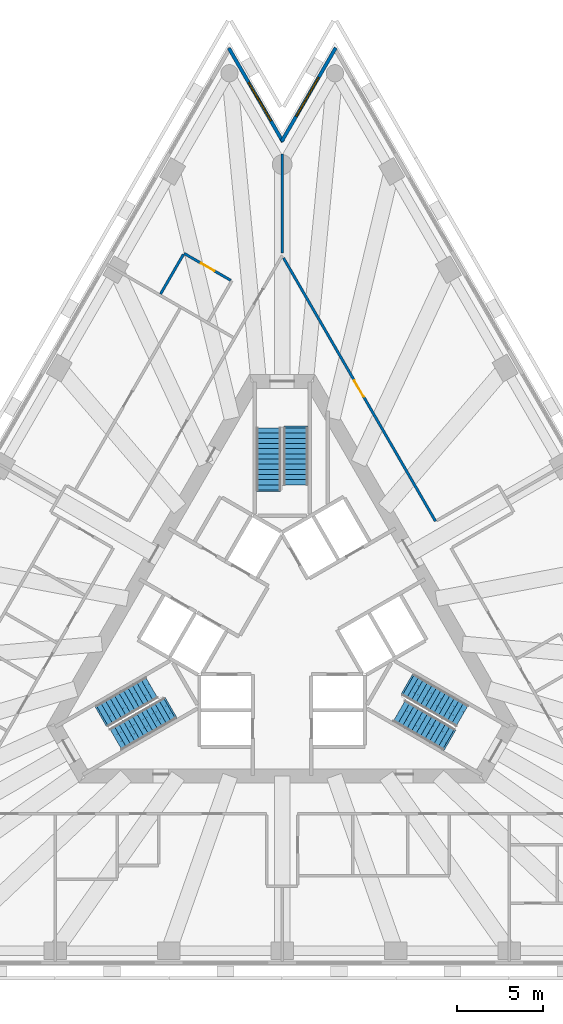
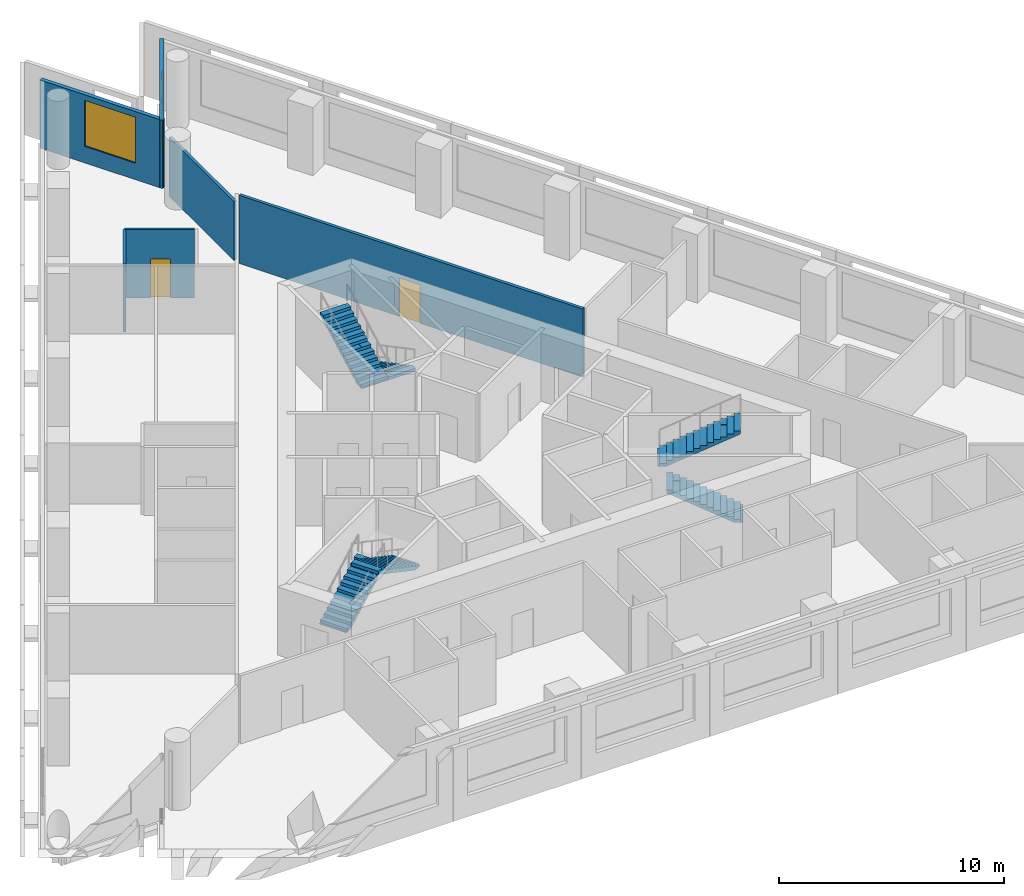
# One storey, part 7 of 10: 6 stair flights, 6 walls, 2 doors, 2 windows, 4 openings, 3 elements without a shape of their own.
"""IFC4 building model written with IfcOpenShell, lengths in metres."""

import ifcopenshell
import ifcopenshell.guid

model = None  # the IFC model being written
_history = None  # IfcOwnerHistory: only IFC2X3 demands one
_inside = {}  # id of a spatial element -> (the spatial element, [elements in it])
_under = {}  # id of a project, library or spatial element -> (it, [spatial elements below it])
_declared = {}  # id of a project -> (the project, [libraries it declares])
_typed = {}  # id of a type object -> (the type object, [elements of that type])
_made_of = {}  # id of a material, layer set ... -> (it, [elements and type objects made of it])


def new_model(schema):
    """Start an empty IFC model of exactly this schema.

    Asked for "IFC4X3", IfcOpenShell would pick the latest addendum, in which some entities
    have other attributes; the version numbers below select the first issue.
    IFC2X3 requires an IfcOwnerHistory on every rooted entity: one is made here for all.
    """
    global model, _history
    if schema == "IFC4X3":
        model = ifcopenshell.file(schema_version=(4, 3, 0, 0))
    else:
        model = ifcopenshell.file(schema=schema)
    _inside.clear()
    _under.clear()
    _declared.clear()
    _typed.clear()
    _made_of.clear()
    _history = None
    if model.schema == "IFC2X3":
        org = make("IfcOrganization", Name="unknown")
        user = make(
            "IfcPersonAndOrganization",
            ThePerson=make("IfcPerson", FamilyName="unknown"),
            TheOrganization=org,
        )
        app = make(
            "IfcApplication",
            ApplicationDeveloper=org,
            Version="unknown",
            ApplicationFullName="unknown",
            ApplicationIdentifier="unknown",
        )
        _history = make(
            "IfcOwnerHistory",
            OwningUser=user,
            OwningApplication=app,
            ChangeAction="ADDED",
            CreationDate=0,
        )
    return model


def make(cls, **values):
    """One entity of the class cls with the attributes given. An attribute that is None is left unset."""
    return model.create_entity(
        cls, **{name: value for name, value in values.items() if value is not None}
    )


def rooted(cls, **values):
    """An entity with a GlobalId (a new one), such as an element, a storey or a relation."""
    return make(cls, GlobalId=ifcopenshell.guid.new(), OwnerHistory=_history, **values)


def si_unit(unit_type, name, prefix=None):
    """IfcSIUnit, for example si_unit("LENGTHUNIT", "METRE", prefix="MILLI")."""
    return make("IfcSIUnit", UnitType=unit_type, Prefix=prefix, Name=name)


def assignment(units):
    """IfcUnitAssignment: the units of a project."""
    return None if units is None else make("IfcUnitAssignment", Units=units)


def point(xyz):
    """IfcCartesianPoint."""
    return None if xyz is None else make("IfcCartesianPoint", Coordinates=xyz)


def direction(xyz):
    """IfcDirection."""
    return None if xyz is None else make("IfcDirection", DirectionRatios=xyz)


def frame(location, z_axis=None, x_axis=None):
    """IfcAxis2Placement3D, a coordinate frame: its origin and axes. An axis left out is left unset."""
    return make(
        "IfcAxis2Placement3D",
        Location=point(location),
        Axis=direction(z_axis),
        RefDirection=direction(x_axis),
    )


def frame_2d(location, x_axis=None):
    """IfcAxis2Placement2D, a coordinate frame in the plane: its origin and x axis."""
    return make(
        "IfcAxis2Placement2D", Location=point(location), RefDirection=direction(x_axis)
    )


def origin():
    """The frame at (0, 0, 0) with its axes left unset."""
    return frame((0.0, 0.0, 0.0))


def place(relative_to, where):
    """IfcLocalPlacement: puts the frame where relative to a parent placement (None: the world)."""
    return make(
        "IfcLocalPlacement", PlacementRelTo=relative_to, RelativePlacement=where
    )


def context(
    kind, dimensions, precision=None, world=None, true_north=None, identifier=None
):
    """IfcGeometricRepresentationContext, for example the 3D "Model" context."""
    return make(
        "IfcGeometricRepresentationContext",
        ContextIdentifier=identifier,
        ContextType=kind,
        CoordinateSpaceDimension=dimensions,
        Precision=precision,
        WorldCoordinateSystem=world,
        TrueNorth=true_north,
    )


def subcontext(parent, identifier, kind, view, scale=None):
    """IfcGeometricRepresentationSubContext, for example "Body" below "Model"."""
    return make(
        "IfcGeometricRepresentationSubContext",
        ContextIdentifier=identifier,
        ContextType=kind,
        ParentContext=parent,
        TargetScale=scale,
        TargetView=view,
    )


def project(units=None, contexts=None):
    """IfcProject with its units and contexts."""
    return rooted(
        "IfcProject",
        Name="project",
        RepresentationContexts=contexts,
        UnitsInContext=assignment(units),
    )


def spatial(cls, under=None, at=None, **own):
    """A site, building, storey or space (cls), placed at a placement, below another one or the project."""
    s = rooted(cls, ObjectPlacement=at, **own)
    if under is not None:
        _under.setdefault(under.id(), (under, []))[1].append(s)
    return s


def polyline(points):
    """IfcPolyline through the points."""
    return make("IfcPolyline", Points=[point(p) for p in points])


def profile(cls, at=None, kind="AREA", **sizes):
    """A parametric profile (cls). Its sizes go by their IFC names, for example OverallWidth=200.0."""
    return make(cls, ProfileType=kind, Position=at, **sizes)


def rectangle(**sizes):
    """IfcRectangleProfileDef."""
    return profile("IfcRectangleProfileDef", **sizes)


def outline(outer, holes=None, kind="AREA"):
    """IfcArbitraryClosedProfileDef: a profile drawn as a closed curve; with holes, ...WithVoids."""
    if holes is None:
        return make("IfcArbitraryClosedProfileDef", ProfileType=kind, OuterCurve=outer)
    return make(
        "IfcArbitraryProfileDefWithVoids",
        ProfileType=kind,
        OuterCurve=outer,
        InnerCurves=holes,
    )


def extrude(swept, where, along, depth):
    """IfcExtrudedAreaSolid: the profile swept, set in the frame where, extruded along a direction by depth."""
    return make(
        "IfcExtrudedAreaSolid",
        SweptArea=swept,
        Position=where,
        ExtrudedDirection=direction(along),
        Depth=depth,
    )


def shape(context_of_items, identifier, shape_type, items):
    """IfcShapeRepresentation: the items that make up one representation, for example the "Body"."""
    return make(
        "IfcShapeRepresentation",
        ContextOfItems=context_of_items,
        RepresentationIdentifier=identifier,
        RepresentationType=shape_type,
        Items=items,
    )


def material(Name=None, Category=None):
    """IfcMaterial."""
    return make("IfcMaterial", Name=Name, Category=Category)


def layer(
    of_material, thickness, ventilated=None, Name=None, Category=None, Priority=None
):
    """IfcMaterialLayer: one layer of a wall or slab, of a material (None: an air gap)."""
    return make(
        "IfcMaterialLayer",
        Material=of_material,
        LayerThickness=thickness,
        IsVentilated=ventilated,
        Name=Name,
        Category=Category,
        Priority=Priority,
    )


def layer_set(layers, Name=None):
    """IfcMaterialLayerSet."""
    return make("IfcMaterialLayerSet", MaterialLayers=layers, LayerSetName=Name)


def layer_usage(for_layer_set, set_direction, sense, offset, extent=None):
    """IfcMaterialLayerSetUsage: how a layer set lies in its element."""
    return make(
        "IfcMaterialLayerSetUsage",
        ForLayerSet=for_layer_set,
        LayerSetDirection=set_direction,
        DirectionSense=sense,
        OffsetFromReferenceLine=offset,
        ReferenceExtent=extent,
    )


def made_of(thing, what):
    """Note that an element or type object is made of a material, layer set ...; save() writes the relation."""
    if what is not None:
        _made_of.setdefault(what.id(), (what, []))[1].append(thing)
    return thing


def type_object(cls, material=None, **own):
    """A type object (cls), such as IfcWallType, which elements share."""
    return made_of(rooted(cls, **own), material)


def element(
    cls,
    number,
    at=None,
    inside=None,
    cuts=None,
    type_object=None,
    material=None,
    context=None,
    identifier="Body",
    shape_type=None,
    held_by="IfcProductDefinitionShape",
    body=None,
    shapes=None,
    **own,
):
    """One element of the class cls, such as IfcWall. Its Tag is "e" and its number.

    at: its placement. inside: the storey or other place that contains it. cuts: it is an
    opening in that element (IfcRelVoidsElement). A single representation is given by context,
    identifier, shape_type and body (its items); several are given by shapes. held_by: the class
    of the entity that holds the representations. save() writes the other relations.
    """
    e = rooted(cls, Tag="e%d" % number, ObjectPlacement=at, **own)
    if body is not None:
        shapes = [shape(context, identifier, shape_type, body)]
    if shapes is not None:
        e.Representation = make(held_by, Representations=shapes)
    if inside is not None:
        _inside.setdefault(inside.id(), (inside, []))[1].append(e)
    if cuts is not None:
        rooted(
            "IfcRelVoidsElement", RelatingBuildingElement=cuts, RelatedOpeningElement=e
        )
    if type_object is not None:
        _typed.setdefault(type_object.id(), (type_object, []))[1].append(e)
    return made_of(e, material)


def fill(opening, filler):
    """IfcRelFillsElement: the door or window that sits in an opening."""
    return rooted(
        "IfcRelFillsElement",
        RelatingOpeningElement=opening,
        RelatedBuildingElement=filler,
    )


def aggregate(whole, parts):
    """IfcRelAggregates: a whole, such as a stair, and the parts it consists of."""
    return rooted("IfcRelAggregates", RelatingObject=whole, RelatedObjects=parts)


def save(model, path):
    """Write the relations noted so far, then the file.

    IfcRelAggregates (storeys below a building ...), IfcRelContainedInSpatialStructure (elements
    in a storey), IfcRelDefinesByType, IfcRelAssociatesMaterial and IfcRelDeclares: one each for
    every whole, place, type object, material and project.
    """
    for whole, parts in _under.values():
        aggregate(whole, parts)
    for where, things in _inside.values():
        rooted(
            "IfcRelContainedInSpatialStructure",
            RelatedElements=things,
            RelatingStructure=where,
        )
    for kind, things in _typed.values():
        rooted("IfcRelDefinesByType", RelatedObjects=things, RelatingType=kind)
    for what, things in _made_of.values():
        rooted("IfcRelAssociatesMaterial", RelatedObjects=things, RelatingMaterial=what)
    for by, libraries in _declared.values():
        rooted("IfcRelDeclares", RelatingContext=by, RelatedDefinitions=libraries)
    model.write(path)


model = new_model("IFC4")

# Units and contexts
model_context = context("Model", 3, precision=1e-05, world=origin(), true_north=direction((0.0, 1.0)))
body_context = subcontext(model_context, "Body", "Model", "MODEL_VIEW")
ifc_project = project(units=[si_unit("LENGTHUNIT", "METRE"), si_unit("AREAUNIT", "SQUARE_METRE"), si_unit("VOLUMEUNIT", "CUBIC_METRE"), si_unit("PLANEANGLEUNIT", "RADIAN"), si_unit("MASSUNIT", "GRAM", prefix="KILO")], contexts=[model_context])

# Site, building, storey
site_placement = place(None, origin())
site = spatial("IfcSite", under=ifc_project, at=site_placement, CompositionType="ELEMENT")
building_placement = place(site_placement, origin())
building = spatial("IfcBuilding", under=site, at=building_placement, Name="Triada Interchange Tower", CompositionType="ELEMENT")
storey_placement = place(building_placement, frame((0.0, 0.0, 152.300048828125)))
storey = spatial("IfcBuildingStorey", under=building, at=storey_placement, Name="L35", CompositionType="ELEMENT", Elevation=152.300048828125)

# Wall, opening, window
ifc_material_1 = material(Name="Cement board")
ifc_layer_1 = layer(ifc_material_1, 0.02001953125, Name="Cement board cladding")
ifc_material_2 = material(Name="Sheathing board")
ifc_layer_2 = layer(ifc_material_2, 0.014892578125, Name="Sheathing board")
ifc_material_3 = material(Name="Mineral wool")
ifc_layer_3 = layer(ifc_material_3, 0.14990234375, Name="Mineral wool between steel studs")
ifc_material_4 = material(Name="Gypsum board")
ifc_layer_4 = layer(ifc_material_4, 0.014892578125, Name="Plasterboard lining")
ifc_layer_set_1 = layer_set([ifc_layer_1, ifc_layer_2, ifc_layer_3, ifc_layer_4], Name="External wall 200")
ifc_layer_usage = layer_usage(ifc_layer_set_1, "AXIS2", "POSITIVE", -0.10009765625)
wall_type_1 = type_object("IfcWallType", Name="External wall 200", PredefinedType="ELEMENTEDWALL", material=ifc_layer_set_1)
wall_1_placement = place(storey_placement, frame((3.10791015625, 33.666015625, 0.0), z_axis=(0.0, 0.0, 1.0), x_axis=(-0.499961152228, -0.866047831394, 0.0)))
wall_1 = element("IfcWall", 1, at=wall_1_placement, inside=storey, type_object=wall_type_1, material=ifc_layer_usage, Name="External wall L35 N-1", PredefinedType="ELEMENTEDWALL", context=body_context, shape_type="SweptSolid", body=[
    extrude(rectangle(XDim=6.2861328125, YDim=0.199951171875, at=frame_2d((3.14306640625, 0.0))), origin(), (0.0, 0.0, 1.0), 3.699951171875),
])
opening_1_placement = place(wall_1_placement, frame((1.989990234375, 0.0, 0.89990234375)))
opening_1 = element("IfcOpeningElement", 2, at=opening_1_placement, cuts=wall_1, Name="Opening WB29", PredefinedType="OPENING", context=body_context, shape_type="SweptSolid", body=[
    extrude(rectangle(XDim=2.60009765625, YDim=2.5, at=frame_2d((1.300048828125, 1.25))), frame((0.0, 0.10986328125, 0.0), z_axis=(0.0, -1.0, 0.0), x_axis=(1.0, 0.0, 0.0)), (0.0, 0.0, 1.0), 0.219970703125),
])
ifc_material_5 = material(Name="Double glazed aluminium window", Category="aluminium")
window_type = type_object("IfcWindowType", Name="Ribbon window B pocket", PartitioningType="SINGLE_PANEL", PredefinedType="WINDOW", material=ifc_material_5)
window_1_placement = place(opening_1_placement, origin())
window_1 = element("IfcWindow", 3, at=window_1_placement, inside=storey, type_object=window_type, Name="Window L35 N-1 1", OverallHeight=2.5, OverallWidth=2.60009765625, PartitioningType="SINGLE_PANEL", PredefinedType="WINDOW", context=body_context, shape_type="SweptSolid", body=[
    extrude(rectangle(XDim=2.60009765625, YDim=2.5, at=frame_2d((1.300048828125, 1.25))), frame((0.0, 0.030029296875, 0.0), z_axis=(0.0, -1.0, 0.0), x_axis=(1.0, 0.0, 0.0)), (0.0, 0.0, 1.0), 0.06005859375),
])
fill(opening_1, window_1)

wall_2_placement = place(storey_placement, frame((0.044921875, 28.205078125, 0.0), z_axis=(0.0, 0.0, 1.0), x_axis=(-0.499977969162, 0.866038122921, 0.0)))
wall_2 = element("IfcWall", 4, at=wall_2_placement, inside=storey, type_object=wall_type_1, material=ifc_layer_usage, Name="External wall L35 N-2", PredefinedType="ELEMENTEDWALL", context=body_context, shape_type="SweptSolid", body=[
    extrude(rectangle(XDim=6.285888671875, YDim=0.199951171875, at=frame_2d((3.14306640625, 0.0))), origin(), (0.0, 0.0, 1.0), 3.699951171875),
])
opening_2_placement = place(wall_2_placement, frame((1.389892578125, 0.0, 0.89990234375)))
opening_2 = element("IfcOpeningElement", 5, at=opening_2_placement, cuts=wall_2, Name="Opening WB30", PredefinedType="OPENING", context=body_context, shape_type="SweptSolid", body=[
    extrude(rectangle(XDim=2.60009765625, YDim=2.5, at=frame_2d((1.300048828125, 1.25))), frame((0.0, 0.10986328125, 0.0), z_axis=(0.0, -1.0, 0.0), x_axis=(1.0, 0.0, 0.0)), (0.0, 0.0, 1.0), 0.219970703125),
])
window_2_placement = place(opening_2_placement, origin())
window_2 = element("IfcWindow", 6, at=window_2_placement, inside=storey, type_object=window_type, Name="Window L35 N-2 1", OverallHeight=2.5, OverallWidth=2.60009765625, PartitioningType="SINGLE_PANEL", PredefinedType="WINDOW", context=body_context, shape_type="SweptSolid", body=[
    extrude(rectangle(XDim=2.60009765625, YDim=2.5, at=frame_2d((1.300048828125, 1.25))), frame((0.0, 0.030029296875, 0.0), z_axis=(0.0, -1.0, 0.0), x_axis=(1.0, 0.0, 0.0)), (0.0, 0.0, 1.0), 0.06005859375),
])
fill(opening_2, window_2)

# Wall
ifc_material_6 = material(Name="Gypsum board partition")
ifc_layer_5 = layer(ifc_material_6, 0.14990234375)
ifc_layer_set_2 = layer_set([ifc_layer_5], Name="PARTITION 150 EI 180")
wall_type_2 = type_object("IfcWallType", Name="PARTITION 150 EI 180", PredefinedType="PARTITIONING", material=ifc_layer_set_2)
wall_3_placement = place(storey_placement, frame((0.0, 21.75, 0.0), z_axis=(0.0, 0.0, 1.0), x_axis=(0.0, 1.0, 0.0)))
element("IfcWall", 7, at=wall_3_placement, inside=storey, type_object=wall_type_2, Name="Wall L35 26", PredefinedType="PARTITIONING", context=body_context, shape_type="SweptSolid", body=[
    extrude(rectangle(XDim=5.7529296875, YDim=0.14990234375, at=frame_2d((2.87646484375, 0.0))), origin(), (0.0, 0.0, 1.0), 3.199951171875),
])

# Wall, opening, door
wall_4_placement = place(storey_placement, frame((0.075927734375, 21.468017578125, 0.0), z_axis=(0.0, 0.0, 1.0), x_axis=(0.500006592492, -0.866021597574, 0.0)))
wall_4 = element("IfcWall", 8, at=wall_4_placement, inside=storey, type_object=wall_type_2, Name="Wall L35 28", PredefinedType="PARTITIONING", context=body_context, shape_type="SweptSolid", body=[
    extrude(rectangle(XDim=17.652099609375, YDim=0.14990234375, at=frame_2d((8.826171875, 0.0))), origin(), (0.0, 0.0, 1.0), 3.699951171875),
])
opening_3_placement = place(wall_4_placement, frame((8.2041015625, 0.0, 0.0)))
opening_3 = element("IfcOpeningElement", 9, at=opening_3_placement, cuts=wall_4, Name="Opening D35-26", PredefinedType="OPENING", context=body_context, shape_type="SweptSolid", body=[
    extrude(rectangle(XDim=1.10009765625, YDim=2.10009765625, at=frame_2d((0.550048828125, 1.050048828125))), frame((0.0, 0.0849609375, 0.0), z_axis=(0.0, -1.0, 0.0), x_axis=(1.0, 0.0, 0.0)), (0.0, 0.0, 1.0), 0.169921875),
])
ifc_material_7 = material(Name="Steel S235 door leaf", Category="steel")
door_type_1 = type_object("IfcDoorType", Name="TENANCY ENTRANCE DOOR 1100 EI2 90-C5S200", OperationType="NOTDEFINED", PredefinedType="DOOR", material=ifc_material_7)
door_1_placement = place(opening_3_placement, origin())
door_1 = element("IfcDoor", 10, at=door_1_placement, inside=storey, type_object=door_type_1, Name="Door D35-26 L35", OperationType="SINGLE_SWING_LEFT", OverallHeight=2.10009765625, OverallWidth=1.10009765625, PredefinedType="DOOR", context=body_context, shape_type="SweptSolid", body=[
    extrude(rectangle(XDim=1.10009765625, YDim=2.10009765625, at=frame_2d((0.550048828125, 1.050048828125))), frame((0.0, 0.02490234375, 0.0), z_axis=(0.0, -1.0, 0.0), x_axis=(1.0, 0.0, 0.0)), (0.0, 0.0, 1.0), 0.050048828125),
])
fill(opening_3, door_1)

ifc_layer_6 = layer(ifc_material_6, 0.14990234375)
ifc_layer_set_3 = layer_set([ifc_layer_6], Name="PARTITION 150 EI 90")
wall_type_3 = type_object("IfcWallType", Name="PARTITION 150 EI 90", PredefinedType="PARTITIONING", material=ifc_layer_set_3)
wall_5_placement = place(storey_placement, frame((-5.697021484375, 21.73193359375, 0.0), z_axis=(0.0, 0.0, 1.0), x_axis=(0.866071089505, -0.499920861661, 0.0)))
wall_5 = element("IfcWall", 11, at=wall_5_placement, inside=storey, type_object=wall_type_3, Name="Wall L35 45", PredefinedType="PARTITIONING", context=body_context, shape_type="SweptSolid", body=[
    extrude(rectangle(XDim=3.12451171875, YDim=0.14990234375, at=frame_2d((1.562255859375, 0.0))), origin(), (0.0, 0.0, 1.0), 3.699951171875),
])
opening_4_placement = place(wall_5_placement, frame((1.14990234375, 0.0, 0.0)))
opening_4 = element("IfcOpeningElement", 12, at=opening_4_placement, cuts=wall_5, Name="Opening D35-28", PredefinedType="OPENING", context=body_context, shape_type="SweptSolid", body=[
    extrude(rectangle(XDim=0.89990234375, YDim=2.10009765625, at=frame_2d((0.449951171875, 1.050048828125))), frame((0.0, 0.0849609375, 0.0), z_axis=(0.0, -1.0, 0.0), x_axis=(1.0, 0.0, 0.0)), (0.0, 0.0, 1.0), 0.169921875),
])
door_type_2 = type_object("IfcDoorType", Name="ROOM DOOR 900 EI2 45-C5S200", OperationType="NOTDEFINED", PredefinedType="DOOR", material=ifc_material_7)
door_2_placement = place(opening_4_placement, origin())
door_2 = element("IfcDoor", 13, at=door_2_placement, inside=storey, type_object=door_type_2, Name="Door D35-28 L35", OperationType="SINGLE_SWING_LEFT", OverallHeight=2.10009765625, OverallWidth=0.89990234375, PredefinedType="DOOR", context=body_context, shape_type="SweptSolid", body=[
    extrude(rectangle(XDim=0.89990234375, YDim=2.10009765625, at=frame_2d((0.449951171875, 1.050048828125))), frame((0.0, 0.02490234375, 0.0), z_axis=(0.0, -1.0, 0.0), x_axis=(1.0, 0.0, 0.0)), (0.0, 0.0, 1.0), 0.050048828125),
])
fill(opening_4, door_2)

# Wall
wall_6_placement = place(storey_placement, frame((-7.06005859375, 19.373046875, 0.0), z_axis=(0.0, 0.0, 1.0), x_axis=(0.499993606316, 0.866029095148, 0.0)))
element("IfcWall", 14, at=wall_6_placement, inside=storey, type_object=wall_type_3, Name="Wall L35 46", PredefinedType="PARTITIONING", context=body_context, shape_type="SweptSolid", body=[
    extrude(rectangle(XDim=2.64990234375, YDim=0.14990234375, at=frame_2d((1.324951171875, 0.0))), origin(), (0.0, 0.0, 1.0), 3.699951171875),
])

# Stair, stair flights
ifc_material_8 = material(Name="Concrete C35/45", Category="concrete")
stair_type = type_object("IfcStairType", Name="HALF TURN STAIR 1400", PredefinedType="HALF_TURN_STAIR", material=ifc_material_8)
stair_1_placement = place(storey_placement, origin())
stair_1 = element("IfcStair", 15, at=stair_1_placement, inside=storey, type_object=stair_type, Name="Exit stair S35-1", PredefinedType="HALF_TURN_STAIR")
stair_flight_type = type_object("IfcStairFlightType", Name="STRAIGHT STAIR FLIGHT 1400", PredefinedType="STRAIGHT", material=ifc_material_8)
stair_flight_1_placement = place(storey_placement, frame((0.800048828125, 11.60009765625, 0.0), z_axis=(0.0, 0.0, 1.0), x_axis=(0.0, -1.0, 0.0)))
stair_flight_1 = element("IfcStairFlight", 16, at=stair_flight_1_placement, type_object=stair_flight_type, Name="S35-1 flight 1", NumberOfRisers=12, NumberOfTreads=11, PredefinedType="STRAIGHT", RiserHeight=0.16, TreadLength=0.3, context=body_context, shape_type="SweptSolid", body=[
    extrude(outline(polyline([(-0.10009765625, 0.0), (-0.10009765625, 0.02001953125), (0.0, 0.02001953125), (0.0, 0.159912109375), (0.300048828125, 0.159912109375), (0.300048828125, 0.320068359375), (0.60009765625, 0.320068359375), (0.60009765625, 0.47998046875), (0.89990234375, 0.47998046875), (0.89990234375, 0.639892578125), (1.199951171875, 0.639892578125), (1.199951171875, 0.800048828125), (1.5, 0.800048828125), (1.5, 0.9599609375), (1.800048828125, 0.9599609375), (1.800048828125, 1.1201171875), (2.10009765625, 1.1201171875), (2.10009765625, 1.280029296875), (2.39990234375, 1.280029296875), (2.39990234375, 1.43994140625), (2.699951171875, 1.43994140625), (2.699951171875, 1.60009765625), (3.0, 1.60009765625), (3.0, 1.760009765625), (3.300048828125, 1.760009765625), (3.303955078125, 1.760009765625), (3.303955078125, 1.919921875), (3.303955078125, 1.590087890625), (0.318603515625, 0.0), (-0.10009765625, 0.0)])), frame((0.0, 0.699951171875, 0.0), z_axis=(0.0, -1.0, 0.0), x_axis=(1.0, 0.0, 0.0)), (0.0, 0.0, 1.0), 0.46533203125),
    extrude(outline(polyline([(-0.10009765625, 0.0), (-0.10009765625, 0.02001953125), (0.0, 0.02001953125), (0.0, 0.159912109375), (0.300048828125, 0.159912109375), (0.300048828125, 0.320068359375), (0.60009765625, 0.320068359375), (0.60009765625, 0.47998046875), (0.89990234375, 0.47998046875), (0.89990234375, 0.639892578125), (1.199951171875, 0.639892578125), (1.199951171875, 0.800048828125), (1.5, 0.800048828125), (1.5, 0.9599609375), (1.800048828125, 0.9599609375), (1.800048828125, 1.1201171875), (2.10009765625, 1.1201171875), (2.10009765625, 1.280029296875), (2.39990234375, 1.280029296875), (2.39990234375, 1.43994140625), (2.699951171875, 1.43994140625), (2.699951171875, 1.60009765625), (3.0, 1.60009765625), (3.0, 1.760009765625), (3.300048828125, 1.760009765625), (3.303955078125, 1.760009765625), (3.303955078125, 1.919921875), (3.303955078125, 1.590087890625), (0.318603515625, 0.0), (-0.10009765625, 0.0)])), frame((0.0, 0.232666015625, 0.0), z_axis=(0.0, -1.0, 0.0), x_axis=(1.0, 0.0, 0.0)), (0.0, 0.0, 1.0), 0.46533203125),
    extrude(outline(polyline([(-0.10009765625, 0.0), (-0.10009765625, 0.02001953125), (0.0, 0.02001953125), (0.0, 0.159912109375), (0.300048828125, 0.159912109375), (0.300048828125, 0.320068359375), (0.60009765625, 0.320068359375), (0.60009765625, 0.47998046875), (0.89990234375, 0.47998046875), (0.89990234375, 0.639892578125), (1.199951171875, 0.639892578125), (1.199951171875, 0.800048828125), (1.5, 0.800048828125), (1.5, 0.9599609375), (1.800048828125, 0.9599609375), (1.800048828125, 1.1201171875), (2.10009765625, 1.1201171875), (2.10009765625, 1.280029296875), (2.39990234375, 1.280029296875), (2.39990234375, 1.43994140625), (2.699951171875, 1.43994140625), (2.699951171875, 1.60009765625), (3.0, 1.60009765625), (3.0, 1.760009765625), (3.300048828125, 1.760009765625), (3.303955078125, 1.760009765625), (3.303955078125, 1.919921875), (3.303955078125, 1.590087890625), (0.318603515625, 0.0), (-0.10009765625, 0.0)])), frame((0.0, -0.234619140625, 0.0), z_axis=(0.0, -1.0, 0.0), x_axis=(1.0, 0.0, 0.0)), (0.0, 0.0, 1.0), 0.46533203125),
])
stair_flight_2_placement = place(storey_placement, frame((-0.800048828125, 8.0, 1.919921875), z_axis=(0.0, 0.0, 1.0), x_axis=(0.0, 1.0, 0.0)))
stair_flight_2 = element("IfcStairFlight", 17, at=stair_flight_2_placement, type_object=stair_flight_type, Name="S35-1 flight 2", NumberOfRisers=13, NumberOfTreads=12, PredefinedType="STRAIGHT", RiserHeight=0.16, TreadLength=0.3, context=body_context, shape_type="SweptSolid", body=[
    extrude(outline(polyline([(-0.10009765625, 0.0), (-0.10009765625, 0.02001953125), (0.0, 0.02001953125), (0.0, 0.159912109375), (0.300048828125, 0.159912109375), (0.300048828125, 0.320068359375), (0.60009765625, 0.320068359375), (0.60009765625, 0.47998046875), (0.89990234375, 0.47998046875), (0.89990234375, 0.639892578125), (1.199951171875, 0.639892578125), (1.199951171875, 0.800048828125), (1.5, 0.800048828125), (1.5, 0.9599609375), (1.800048828125, 0.9599609375), (1.800048828125, 1.1201171875), (2.10009765625, 1.1201171875), (2.10009765625, 1.280029296875), (2.39990234375, 1.280029296875), (2.39990234375, 1.43994140625), (2.699951171875, 1.43994140625), (2.699951171875, 1.60009765625), (3.0, 1.60009765625), (3.0, 1.760009765625), (3.300048828125, 1.760009765625), (3.300048828125, 1.919921875), (3.60009765625, 1.919921875), (3.60400390625, 1.919921875), (3.60400390625, 2.080078125), (3.60400390625, 1.75), (0.318603515625, 0.0), (-0.10009765625, 0.0)])), frame((0.0, 0.699951171875, 0.0), z_axis=(0.0, -1.0, 0.0), x_axis=(1.0, 0.0, 0.0)), (0.0, 0.0, 1.0), 0.46533203125),
    extrude(outline(polyline([(-0.10009765625, 0.0), (-0.10009765625, 0.02001953125), (0.0, 0.02001953125), (0.0, 0.159912109375), (0.300048828125, 0.159912109375), (0.300048828125, 0.320068359375), (0.60009765625, 0.320068359375), (0.60009765625, 0.47998046875), (0.89990234375, 0.47998046875), (0.89990234375, 0.639892578125), (1.199951171875, 0.639892578125), (1.199951171875, 0.800048828125), (1.5, 0.800048828125), (1.5, 0.9599609375), (1.800048828125, 0.9599609375), (1.800048828125, 1.1201171875), (2.10009765625, 1.1201171875), (2.10009765625, 1.280029296875), (2.39990234375, 1.280029296875), (2.39990234375, 1.43994140625), (2.699951171875, 1.43994140625), (2.699951171875, 1.60009765625), (3.0, 1.60009765625), (3.0, 1.760009765625), (3.300048828125, 1.760009765625), (3.300048828125, 1.919921875), (3.60009765625, 1.919921875), (3.60400390625, 1.919921875), (3.60400390625, 2.080078125), (3.60400390625, 1.75), (0.318603515625, 0.0), (-0.10009765625, 0.0)])), frame((0.0, 0.232666015625, 0.0), z_axis=(0.0, -1.0, 0.0), x_axis=(1.0, 0.0, 0.0)), (0.0, 0.0, 1.0), 0.46533203125),
    extrude(outline(polyline([(-0.10009765625, 0.0), (-0.10009765625, 0.02001953125), (0.0, 0.02001953125), (0.0, 0.159912109375), (0.300048828125, 0.159912109375), (0.300048828125, 0.320068359375), (0.60009765625, 0.320068359375), (0.60009765625, 0.47998046875), (0.89990234375, 0.47998046875), (0.89990234375, 0.639892578125), (1.199951171875, 0.639892578125), (1.199951171875, 0.800048828125), (1.5, 0.800048828125), (1.5, 0.9599609375), (1.800048828125, 0.9599609375), (1.800048828125, 1.1201171875), (2.10009765625, 1.1201171875), (2.10009765625, 1.280029296875), (2.39990234375, 1.280029296875), (2.39990234375, 1.43994140625), (2.699951171875, 1.43994140625), (2.699951171875, 1.60009765625), (3.0, 1.60009765625), (3.0, 1.760009765625), (3.300048828125, 1.760009765625), (3.300048828125, 1.919921875), (3.60009765625, 1.919921875), (3.60400390625, 1.919921875), (3.60400390625, 2.080078125), (3.60400390625, 1.75), (0.318603515625, 0.0), (-0.10009765625, 0.0)])), frame((0.0, -0.234619140625, 0.0), z_axis=(0.0, -1.0, 0.0), x_axis=(1.0, 0.0, 0.0)), (0.0, 0.0, 1.0), 0.46533203125),
])
aggregate(stair_1, [stair_flight_1, stair_flight_2])

stair_2_placement = place(storey_placement, origin())
stair_2 = element("IfcStair", 18, at=stair_2_placement, inside=storey, type_object=stair_type, Name="Exit stair S35-2", PredefinedType="HALF_TURN_STAIR")
stair_flight_3_placement = place(storey_placement, frame((-10.446044921875, -5.10693359375, 0.0), z_axis=(0.0, 0.0, 1.0), x_axis=(0.866025403784, 0.5, 0.0)))
stair_flight_3 = element("IfcStairFlight", 19, at=stair_flight_3_placement, type_object=stair_flight_type, Name="S35-2 flight 1", NumberOfRisers=12, NumberOfTreads=11, PredefinedType="STRAIGHT", RiserHeight=0.16, TreadLength=0.3, context=body_context, shape_type="SweptSolid", body=[
    extrude(outline(polyline([(-0.10009765625, 0.0), (-0.10009765625, 0.02001953125), (0.0, 0.02001953125), (0.0, 0.159912109375), (0.300048828125, 0.159912109375), (0.300048828125, 0.320068359375), (0.60009765625, 0.320068359375), (0.60009765625, 0.47998046875), (0.89990234375, 0.47998046875), (0.89990234375, 0.639892578125), (1.199951171875, 0.639892578125), (1.199951171875, 0.800048828125), (1.5, 0.800048828125), (1.5, 0.9599609375), (1.800048828125, 0.9599609375), (1.800048828125, 1.1201171875), (2.10009765625, 1.1201171875), (2.10009765625, 1.280029296875), (2.39990234375, 1.280029296875), (2.39990234375, 1.43994140625), (2.699951171875, 1.43994140625), (2.699951171875, 1.60009765625), (3.0, 1.60009765625), (3.0, 1.760009765625), (3.300048828125, 1.760009765625), (3.303955078125, 1.760009765625), (3.303955078125, 1.919921875), (3.303955078125, 1.590087890625), (0.318603515625, 0.0), (-0.10009765625, 0.0)])), frame((0.0, 0.699951171875, 0.0), z_axis=(0.0, -1.0, 0.0), x_axis=(1.0, 0.0, 0.0)), (0.0, 0.0, 1.0), 0.46533203125),
    extrude(outline(polyline([(-0.10009765625, 0.0), (-0.10009765625, 0.02001953125), (0.0, 0.02001953125), (0.0, 0.159912109375), (0.300048828125, 0.159912109375), (0.300048828125, 0.320068359375), (0.60009765625, 0.320068359375), (0.60009765625, 0.47998046875), (0.89990234375, 0.47998046875), (0.89990234375, 0.639892578125), (1.199951171875, 0.639892578125), (1.199951171875, 0.800048828125), (1.5, 0.800048828125), (1.5, 0.9599609375), (1.800048828125, 0.9599609375), (1.800048828125, 1.1201171875), (2.10009765625, 1.1201171875), (2.10009765625, 1.280029296875), (2.39990234375, 1.280029296875), (2.39990234375, 1.43994140625), (2.699951171875, 1.43994140625), (2.699951171875, 1.60009765625), (3.0, 1.60009765625), (3.0, 1.760009765625), (3.300048828125, 1.760009765625), (3.303955078125, 1.760009765625), (3.303955078125, 1.919921875), (3.303955078125, 1.590087890625), (0.318603515625, 0.0), (-0.10009765625, 0.0)])), frame((0.0, 0.232666015625, 0.0), z_axis=(0.0, -1.0, 0.0), x_axis=(1.0, 0.0, 0.0)), (0.0, 0.0, 1.0), 0.46533203125),
    extrude(outline(polyline([(-0.10009765625, 0.0), (-0.10009765625, 0.02001953125), (0.0, 0.02001953125), (0.0, 0.159912109375), (0.300048828125, 0.159912109375), (0.300048828125, 0.320068359375), (0.60009765625, 0.320068359375), (0.60009765625, 0.47998046875), (0.89990234375, 0.47998046875), (0.89990234375, 0.639892578125), (1.199951171875, 0.639892578125), (1.199951171875, 0.800048828125), (1.5, 0.800048828125), (1.5, 0.9599609375), (1.800048828125, 0.9599609375), (1.800048828125, 1.1201171875), (2.10009765625, 1.1201171875), (2.10009765625, 1.280029296875), (2.39990234375, 1.280029296875), (2.39990234375, 1.43994140625), (2.699951171875, 1.43994140625), (2.699951171875, 1.60009765625), (3.0, 1.60009765625), (3.0, 1.760009765625), (3.300048828125, 1.760009765625), (3.303955078125, 1.760009765625), (3.303955078125, 1.919921875), (3.303955078125, 1.590087890625), (0.318603515625, 0.0), (-0.10009765625, 0.0)])), frame((0.0, -0.234619140625, 0.0), z_axis=(0.0, -1.0, 0.0), x_axis=(1.0, 0.0, 0.0)), (0.0, 0.0, 1.0), 0.46533203125),
])
stair_flight_4_placement = place(storey_placement, frame((-6.528076171875, -4.693115234375, 1.919921875), z_axis=(0.0, 0.0, 1.0), x_axis=(-0.866025403784, -0.5, 0.0)))
stair_flight_4 = element("IfcStairFlight", 20, at=stair_flight_4_placement, type_object=stair_flight_type, Name="S35-2 flight 2", NumberOfRisers=13, NumberOfTreads=12, PredefinedType="STRAIGHT", RiserHeight=0.16, TreadLength=0.3, context=body_context, shape_type="SweptSolid", body=[
    extrude(outline(polyline([(-0.10009765625, 0.0), (-0.10009765625, 0.02001953125), (0.0, 0.02001953125), (0.0, 0.159912109375), (0.300048828125, 0.159912109375), (0.300048828125, 0.320068359375), (0.60009765625, 0.320068359375), (0.60009765625, 0.47998046875), (0.89990234375, 0.47998046875), (0.89990234375, 0.639892578125), (1.199951171875, 0.639892578125), (1.199951171875, 0.800048828125), (1.5, 0.800048828125), (1.5, 0.9599609375), (1.800048828125, 0.9599609375), (1.800048828125, 1.1201171875), (2.10009765625, 1.1201171875), (2.10009765625, 1.280029296875), (2.39990234375, 1.280029296875), (2.39990234375, 1.43994140625), (2.699951171875, 1.43994140625), (2.699951171875, 1.60009765625), (3.0, 1.60009765625), (3.0, 1.760009765625), (3.300048828125, 1.760009765625), (3.300048828125, 1.919921875), (3.60009765625, 1.919921875), (3.60400390625, 1.919921875), (3.60400390625, 2.080078125), (3.60400390625, 1.75), (0.318603515625, 0.0), (-0.10009765625, 0.0)])), frame((0.0, 0.699951171875, 0.0), z_axis=(0.0, -1.0, 0.0), x_axis=(1.0, 0.0, 0.0)), (0.0, 0.0, 1.0), 0.46533203125),
    extrude(outline(polyline([(-0.10009765625, 0.0), (-0.10009765625, 0.02001953125), (0.0, 0.02001953125), (0.0, 0.159912109375), (0.300048828125, 0.159912109375), (0.300048828125, 0.320068359375), (0.60009765625, 0.320068359375), (0.60009765625, 0.47998046875), (0.89990234375, 0.47998046875), (0.89990234375, 0.639892578125), (1.199951171875, 0.639892578125), (1.199951171875, 0.800048828125), (1.5, 0.800048828125), (1.5, 0.9599609375), (1.800048828125, 0.9599609375), (1.800048828125, 1.1201171875), (2.10009765625, 1.1201171875), (2.10009765625, 1.280029296875), (2.39990234375, 1.280029296875), (2.39990234375, 1.43994140625), (2.699951171875, 1.43994140625), (2.699951171875, 1.60009765625), (3.0, 1.60009765625), (3.0, 1.760009765625), (3.300048828125, 1.760009765625), (3.300048828125, 1.919921875), (3.60009765625, 1.919921875), (3.60400390625, 1.919921875), (3.60400390625, 2.080078125), (3.60400390625, 1.75), (0.318603515625, 0.0), (-0.10009765625, 0.0)])), frame((0.0, 0.232666015625, 0.0), z_axis=(0.0, -1.0, 0.0), x_axis=(1.0, 0.0, 0.0)), (0.0, 0.0, 1.0), 0.46533203125),
    extrude(outline(polyline([(-0.10009765625, 0.0), (-0.10009765625, 0.02001953125), (0.0, 0.02001953125), (0.0, 0.159912109375), (0.300048828125, 0.159912109375), (0.300048828125, 0.320068359375), (0.60009765625, 0.320068359375), (0.60009765625, 0.47998046875), (0.89990234375, 0.47998046875), (0.89990234375, 0.639892578125), (1.199951171875, 0.639892578125), (1.199951171875, 0.800048828125), (1.5, 0.800048828125), (1.5, 0.9599609375), (1.800048828125, 0.9599609375), (1.800048828125, 1.1201171875), (2.10009765625, 1.1201171875), (2.10009765625, 1.280029296875), (2.39990234375, 1.280029296875), (2.39990234375, 1.43994140625), (2.699951171875, 1.43994140625), (2.699951171875, 1.60009765625), (3.0, 1.60009765625), (3.0, 1.760009765625), (3.300048828125, 1.760009765625), (3.300048828125, 1.919921875), (3.60009765625, 1.919921875), (3.60400390625, 1.919921875), (3.60400390625, 2.080078125), (3.60400390625, 1.75), (0.318603515625, 0.0), (-0.10009765625, 0.0)])), frame((0.0, -0.234619140625, 0.0), z_axis=(0.0, -1.0, 0.0), x_axis=(1.0, 0.0, 0.0)), (0.0, 0.0, 1.0), 0.46533203125),
])
aggregate(stair_2, [stair_flight_3, stair_flight_4])

stair_3_placement = place(storey_placement, origin())
stair_3 = element("IfcStair", 21, at=stair_3_placement, inside=storey, type_object=stair_type, Name="Exit stair S35-3", PredefinedType="HALF_TURN_STAIR")
stair_flight_5_placement = place(storey_placement, frame((9.64599609375, -6.492919921875, 0.0), z_axis=(0.0, 0.0, 1.0), x_axis=(-0.866025403784, 0.5, 0.0)))
stair_flight_5 = element("IfcStairFlight", 22, at=stair_flight_5_placement, type_object=stair_flight_type, Name="S35-3 flight 1", NumberOfRisers=12, NumberOfTreads=11, PredefinedType="STRAIGHT", RiserHeight=0.16, TreadLength=0.3, context=body_context, shape_type="SweptSolid", body=[
    extrude(outline(polyline([(-0.10009765625, 0.0), (-0.10009765625, 0.02001953125), (0.0, 0.02001953125), (0.0, 0.159912109375), (0.300048828125, 0.159912109375), (0.300048828125, 0.320068359375), (0.60009765625, 0.320068359375), (0.60009765625, 0.47998046875), (0.89990234375, 0.47998046875), (0.89990234375, 0.639892578125), (1.199951171875, 0.639892578125), (1.199951171875, 0.800048828125), (1.5, 0.800048828125), (1.5, 0.9599609375), (1.800048828125, 0.9599609375), (1.800048828125, 1.1201171875), (2.10009765625, 1.1201171875), (2.10009765625, 1.280029296875), (2.39990234375, 1.280029296875), (2.39990234375, 1.43994140625), (2.699951171875, 1.43994140625), (2.699951171875, 1.60009765625), (3.0, 1.60009765625), (3.0, 1.760009765625), (3.300048828125, 1.760009765625), (3.303955078125, 1.760009765625), (3.303955078125, 1.919921875), (3.303955078125, 1.590087890625), (0.318603515625, 0.0), (-0.10009765625, 0.0)])), frame((0.0, 0.699951171875, 0.0), z_axis=(0.0, -1.0, 0.0), x_axis=(1.0, 0.0, 0.0)), (0.0, 0.0, 1.0), 0.46533203125),
    extrude(outline(polyline([(-0.10009765625, 0.0), (-0.10009765625, 0.02001953125), (0.0, 0.02001953125), (0.0, 0.159912109375), (0.300048828125, 0.159912109375), (0.300048828125, 0.320068359375), (0.60009765625, 0.320068359375), (0.60009765625, 0.47998046875), (0.89990234375, 0.47998046875), (0.89990234375, 0.639892578125), (1.199951171875, 0.639892578125), (1.199951171875, 0.800048828125), (1.5, 0.800048828125), (1.5, 0.9599609375), (1.800048828125, 0.9599609375), (1.800048828125, 1.1201171875), (2.10009765625, 1.1201171875), (2.10009765625, 1.280029296875), (2.39990234375, 1.280029296875), (2.39990234375, 1.43994140625), (2.699951171875, 1.43994140625), (2.699951171875, 1.60009765625), (3.0, 1.60009765625), (3.0, 1.760009765625), (3.300048828125, 1.760009765625), (3.303955078125, 1.760009765625), (3.303955078125, 1.919921875), (3.303955078125, 1.590087890625), (0.318603515625, 0.0), (-0.10009765625, 0.0)])), frame((0.0, 0.232666015625, 0.0), z_axis=(0.0, -1.0, 0.0), x_axis=(1.0, 0.0, 0.0)), (0.0, 0.0, 1.0), 0.46533203125),
    extrude(outline(polyline([(-0.10009765625, 0.0), (-0.10009765625, 0.02001953125), (0.0, 0.02001953125), (0.0, 0.159912109375), (0.300048828125, 0.159912109375), (0.300048828125, 0.320068359375), (0.60009765625, 0.320068359375), (0.60009765625, 0.47998046875), (0.89990234375, 0.47998046875), (0.89990234375, 0.639892578125), (1.199951171875, 0.639892578125), (1.199951171875, 0.800048828125), (1.5, 0.800048828125), (1.5, 0.9599609375), (1.800048828125, 0.9599609375), (1.800048828125, 1.1201171875), (2.10009765625, 1.1201171875), (2.10009765625, 1.280029296875), (2.39990234375, 1.280029296875), (2.39990234375, 1.43994140625), (2.699951171875, 1.43994140625), (2.699951171875, 1.60009765625), (3.0, 1.60009765625), (3.0, 1.760009765625), (3.300048828125, 1.760009765625), (3.303955078125, 1.760009765625), (3.303955078125, 1.919921875), (3.303955078125, 1.590087890625), (0.318603515625, 0.0), (-0.10009765625, 0.0)])), frame((0.0, -0.234619140625, 0.0), z_axis=(0.0, -1.0, 0.0), x_axis=(1.0, 0.0, 0.0)), (0.0, 0.0, 1.0), 0.46533203125),
])
stair_flight_6_placement = place(storey_placement, frame((7.327880859375, -3.306884765625, 1.919921875), z_axis=(0.0, 0.0, 1.0), x_axis=(0.866025403784, -0.5, 0.0)))
stair_flight_6 = element("IfcStairFlight", 23, at=stair_flight_6_placement, type_object=stair_flight_type, Name="S35-3 flight 2", NumberOfRisers=13, NumberOfTreads=12, PredefinedType="STRAIGHT", RiserHeight=0.16, TreadLength=0.3, context=body_context, shape_type="SweptSolid", body=[
    extrude(outline(polyline([(-0.10009765625, 0.0), (-0.10009765625, 0.02001953125), (0.0, 0.02001953125), (0.0, 0.159912109375), (0.300048828125, 0.159912109375), (0.300048828125, 0.320068359375), (0.60009765625, 0.320068359375), (0.60009765625, 0.47998046875), (0.89990234375, 0.47998046875), (0.89990234375, 0.639892578125), (1.199951171875, 0.639892578125), (1.199951171875, 0.800048828125), (1.5, 0.800048828125), (1.5, 0.9599609375), (1.800048828125, 0.9599609375), (1.800048828125, 1.1201171875), (2.10009765625, 1.1201171875), (2.10009765625, 1.280029296875), (2.39990234375, 1.280029296875), (2.39990234375, 1.43994140625), (2.699951171875, 1.43994140625), (2.699951171875, 1.60009765625), (3.0, 1.60009765625), (3.0, 1.760009765625), (3.300048828125, 1.760009765625), (3.300048828125, 1.919921875), (3.60009765625, 1.919921875), (3.60400390625, 1.919921875), (3.60400390625, 2.080078125), (3.60400390625, 1.75), (0.318603515625, 0.0), (-0.10009765625, 0.0)])), frame((0.0, 0.699951171875, 0.0), z_axis=(0.0, -1.0, 0.0), x_axis=(1.0, 0.0, 0.0)), (0.0, 0.0, 1.0), 0.46533203125),
    extrude(outline(polyline([(-0.10009765625, 0.0), (-0.10009765625, 0.02001953125), (0.0, 0.02001953125), (0.0, 0.159912109375), (0.300048828125, 0.159912109375), (0.300048828125, 0.320068359375), (0.60009765625, 0.320068359375), (0.60009765625, 0.47998046875), (0.89990234375, 0.47998046875), (0.89990234375, 0.639892578125), (1.199951171875, 0.639892578125), (1.199951171875, 0.800048828125), (1.5, 0.800048828125), (1.5, 0.9599609375), (1.800048828125, 0.9599609375), (1.800048828125, 1.1201171875), (2.10009765625, 1.1201171875), (2.10009765625, 1.280029296875), (2.39990234375, 1.280029296875), (2.39990234375, 1.43994140625), (2.699951171875, 1.43994140625), (2.699951171875, 1.60009765625), (3.0, 1.60009765625), (3.0, 1.760009765625), (3.300048828125, 1.760009765625), (3.300048828125, 1.919921875), (3.60009765625, 1.919921875), (3.60400390625, 1.919921875), (3.60400390625, 2.080078125), (3.60400390625, 1.75), (0.318603515625, 0.0), (-0.10009765625, 0.0)])), frame((0.0, 0.232666015625, 0.0), z_axis=(0.0, -1.0, 0.0), x_axis=(1.0, 0.0, 0.0)), (0.0, 0.0, 1.0), 0.46533203125),
    extrude(outline(polyline([(-0.10009765625, 0.0), (-0.10009765625, 0.02001953125), (0.0, 0.02001953125), (0.0, 0.159912109375), (0.300048828125, 0.159912109375), (0.300048828125, 0.320068359375), (0.60009765625, 0.320068359375), (0.60009765625, 0.47998046875), (0.89990234375, 0.47998046875), (0.89990234375, 0.639892578125), (1.199951171875, 0.639892578125), (1.199951171875, 0.800048828125), (1.5, 0.800048828125), (1.5, 0.9599609375), (1.800048828125, 0.9599609375), (1.800048828125, 1.1201171875), (2.10009765625, 1.1201171875), (2.10009765625, 1.280029296875), (2.39990234375, 1.280029296875), (2.39990234375, 1.43994140625), (2.699951171875, 1.43994140625), (2.699951171875, 1.60009765625), (3.0, 1.60009765625), (3.0, 1.760009765625), (3.300048828125, 1.760009765625), (3.300048828125, 1.919921875), (3.60009765625, 1.919921875), (3.60400390625, 1.919921875), (3.60400390625, 2.080078125), (3.60400390625, 1.75), (0.318603515625, 0.0), (-0.10009765625, 0.0)])), frame((0.0, -0.234619140625, 0.0), z_axis=(0.0, -1.0, 0.0), x_axis=(1.0, 0.0, 0.0)), (0.0, 0.0, 1.0), 0.46533203125),
])
aggregate(stair_3, [stair_flight_5, stair_flight_6])

save(model, "model.ifc")
